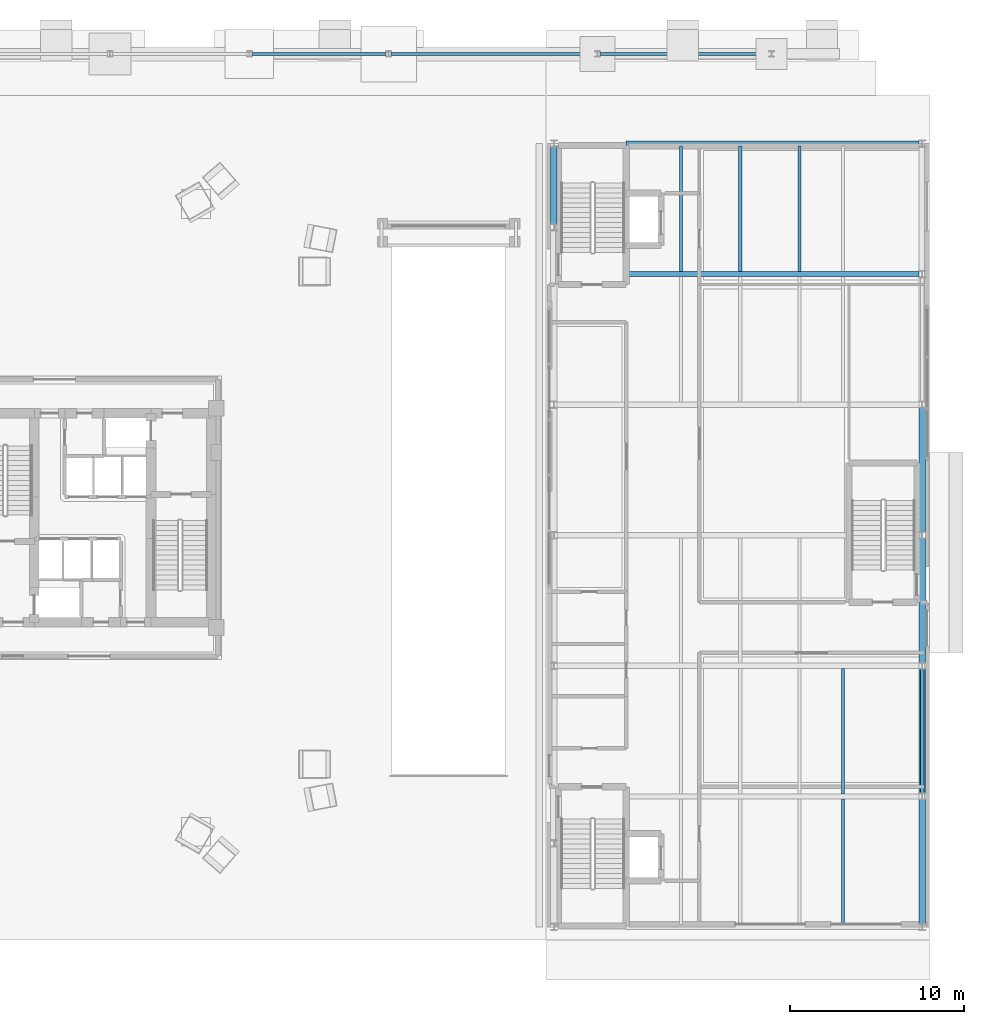
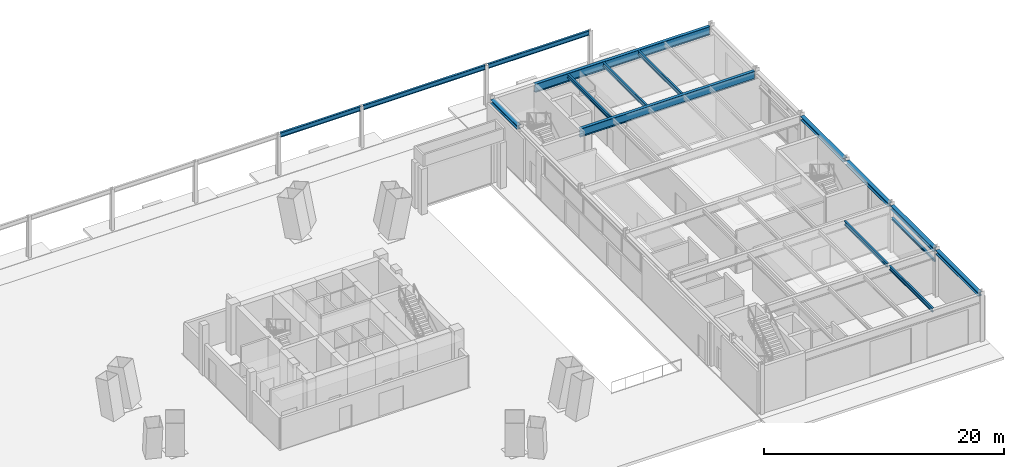
# One storey, part 10 of 21: 16 beams.
"""IFC4 building model written with IfcOpenShell, lengths in metres."""

import ifcopenshell
import ifcopenshell.guid

model = None  # the IFC model being written
_history = None  # IfcOwnerHistory: only IFC2X3 demands one
_inside = {}  # id of a spatial element -> (the spatial element, [elements in it])
_under = {}  # id of a project, library or spatial element -> (it, [spatial elements below it])
_declared = {}  # id of a project -> (the project, [libraries it declares])
_typed = {}  # id of a type object -> (the type object, [elements of that type])
_made_of = {}  # id of a material, layer set ... -> (it, [elements and type objects made of it])


def new_model(schema):
    """Start an empty IFC model of exactly this schema.

    Asked for "IFC4X3", IfcOpenShell would pick the latest addendum, in which some entities
    have other attributes; the version numbers below select the first issue.
    IFC2X3 requires an IfcOwnerHistory on every rooted entity: one is made here for all.
    """
    global model, _history
    if schema == "IFC4X3":
        model = ifcopenshell.file(schema_version=(4, 3, 0, 0))
    else:
        model = ifcopenshell.file(schema=schema)
    _inside.clear()
    _under.clear()
    _declared.clear()
    _typed.clear()
    _made_of.clear()
    _history = None
    if model.schema == "IFC2X3":
        org = make("IfcOrganization", Name="unknown")
        user = make(
            "IfcPersonAndOrganization",
            ThePerson=make("IfcPerson", FamilyName="unknown"),
            TheOrganization=org,
        )
        app = make(
            "IfcApplication",
            ApplicationDeveloper=org,
            Version="unknown",
            ApplicationFullName="unknown",
            ApplicationIdentifier="unknown",
        )
        _history = make(
            "IfcOwnerHistory",
            OwningUser=user,
            OwningApplication=app,
            ChangeAction="ADDED",
            CreationDate=0,
        )
    return model


def make(cls, **values):
    """One entity of the class cls with the attributes given. An attribute that is None is left unset."""
    return model.create_entity(
        cls, **{name: value for name, value in values.items() if value is not None}
    )


def rooted(cls, **values):
    """An entity with a GlobalId (a new one), such as an element, a storey or a relation."""
    return make(cls, GlobalId=ifcopenshell.guid.new(), OwnerHistory=_history, **values)


def si_unit(unit_type, name, prefix=None):
    """IfcSIUnit, for example si_unit("LENGTHUNIT", "METRE", prefix="MILLI")."""
    return make("IfcSIUnit", UnitType=unit_type, Prefix=prefix, Name=name)


def assignment(units):
    """IfcUnitAssignment: the units of a project."""
    return None if units is None else make("IfcUnitAssignment", Units=units)


def point(xyz):
    """IfcCartesianPoint."""
    return None if xyz is None else make("IfcCartesianPoint", Coordinates=xyz)


def direction(xyz):
    """IfcDirection."""
    return None if xyz is None else make("IfcDirection", DirectionRatios=xyz)


def frame(location, z_axis=None, x_axis=None):
    """IfcAxis2Placement3D, a coordinate frame: its origin and axes. An axis left out is left unset."""
    return make(
        "IfcAxis2Placement3D",
        Location=point(location),
        Axis=direction(z_axis),
        RefDirection=direction(x_axis),
    )


def frame_2d(location, x_axis=None):
    """IfcAxis2Placement2D, a coordinate frame in the plane: its origin and x axis."""
    return make(
        "IfcAxis2Placement2D", Location=point(location), RefDirection=direction(x_axis)
    )


def origin():
    """The frame at (0, 0, 0) with its axes left unset."""
    return frame((0.0, 0.0, 0.0))


def origin_2d():
    """The frame at (0, 0) in the plane with its x axis left unset."""
    return frame_2d((0.0, 0.0))


def place(relative_to, where):
    """IfcLocalPlacement: puts the frame where relative to a parent placement (None: the world)."""
    return make(
        "IfcLocalPlacement", PlacementRelTo=relative_to, RelativePlacement=where
    )


def context(
    kind, dimensions, precision=None, world=None, true_north=None, identifier=None
):
    """IfcGeometricRepresentationContext, for example the 3D "Model" context."""
    return make(
        "IfcGeometricRepresentationContext",
        ContextIdentifier=identifier,
        ContextType=kind,
        CoordinateSpaceDimension=dimensions,
        Precision=precision,
        WorldCoordinateSystem=world,
        TrueNorth=true_north,
    )


def subcontext(parent, identifier, kind, view, scale=None):
    """IfcGeometricRepresentationSubContext, for example "Body" below "Model"."""
    return make(
        "IfcGeometricRepresentationSubContext",
        ContextIdentifier=identifier,
        ContextType=kind,
        ParentContext=parent,
        TargetScale=scale,
        TargetView=view,
    )


def project(units=None, contexts=None):
    """IfcProject with its units and contexts."""
    return rooted(
        "IfcProject",
        Name="project",
        RepresentationContexts=contexts,
        UnitsInContext=assignment(units),
    )


def spatial(cls, under=None, at=None, **own):
    """A site, building, storey or space (cls), placed at a placement, below another one or the project."""
    s = rooted(cls, ObjectPlacement=at, **own)
    if under is not None:
        _under.setdefault(under.id(), (under, []))[1].append(s)
    return s


def profile(cls, at=None, kind="AREA", **sizes):
    """A parametric profile (cls). Its sizes go by their IFC names, for example OverallWidth=200.0."""
    return make(cls, ProfileType=kind, Position=at, **sizes)


def i_section(**sizes):
    """IfcIShapeProfileDef."""
    return profile("IfcIShapeProfileDef", **sizes)


def extrude(swept, where, along, depth):
    """IfcExtrudedAreaSolid: the profile swept, set in the frame where, extruded along a direction by depth."""
    return make(
        "IfcExtrudedAreaSolid",
        SweptArea=swept,
        Position=where,
        ExtrudedDirection=direction(along),
        Depth=depth,
    )


def shape(context_of_items, identifier, shape_type, items):
    """IfcShapeRepresentation: the items that make up one representation, for example the "Body"."""
    return make(
        "IfcShapeRepresentation",
        ContextOfItems=context_of_items,
        RepresentationIdentifier=identifier,
        RepresentationType=shape_type,
        Items=items,
    )


def material(Name=None, Category=None):
    """IfcMaterial."""
    return make("IfcMaterial", Name=Name, Category=Category)


def material_profile(
    of_material, cross_section, Name=None, Category=None, Priority=None
):
    """IfcMaterialProfile: a cross section and its material."""
    return make(
        "IfcMaterialProfile",
        Name=Name,
        Material=of_material,
        Profile=cross_section,
        Priority=Priority,
        Category=Category,
    )


def profile_set(profiles, Name=None, composite=None):
    """IfcMaterialProfileSet."""
    return make(
        "IfcMaterialProfileSet",
        Name=Name,
        MaterialProfiles=profiles,
        CompositeProfile=composite,
    )


def made_of(thing, what):
    """Note that an element or type object is made of a material, layer set ...; save() writes the relation."""
    if what is not None:
        _made_of.setdefault(what.id(), (what, []))[1].append(thing)
    return thing


def type_object(cls, material=None, **own):
    """A type object (cls), such as IfcWallType, which elements share."""
    return made_of(rooted(cls, **own), material)


def element(
    cls,
    number,
    at=None,
    inside=None,
    cuts=None,
    type_object=None,
    material=None,
    context=None,
    identifier="Body",
    shape_type=None,
    held_by="IfcProductDefinitionShape",
    body=None,
    shapes=None,
    **own,
):
    """One element of the class cls, such as IfcWall. Its Tag is "e" and its number.

    at: its placement. inside: the storey or other place that contains it. cuts: it is an
    opening in that element (IfcRelVoidsElement). A single representation is given by context,
    identifier, shape_type and body (its items); several are given by shapes. held_by: the class
    of the entity that holds the representations. save() writes the other relations.
    """
    e = rooted(cls, Tag="e%d" % number, ObjectPlacement=at, **own)
    if body is not None:
        shapes = [shape(context, identifier, shape_type, body)]
    if shapes is not None:
        e.Representation = make(held_by, Representations=shapes)
    if inside is not None:
        _inside.setdefault(inside.id(), (inside, []))[1].append(e)
    if cuts is not None:
        rooted(
            "IfcRelVoidsElement", RelatingBuildingElement=cuts, RelatedOpeningElement=e
        )
    if type_object is not None:
        _typed.setdefault(type_object.id(), (type_object, []))[1].append(e)
    return made_of(e, material)


def aggregate(whole, parts):
    """IfcRelAggregates: a whole, such as a stair, and the parts it consists of."""
    return rooted("IfcRelAggregates", RelatingObject=whole, RelatedObjects=parts)


def save(model, path):
    """Write the relations noted so far, then the file.

    IfcRelAggregates (storeys below a building ...), IfcRelContainedInSpatialStructure (elements
    in a storey), IfcRelDefinesByType, IfcRelAssociatesMaterial and IfcRelDeclares: one each for
    every whole, place, type object, material and project.
    """
    for whole, parts in _under.values():
        aggregate(whole, parts)
    for where, things in _inside.values():
        rooted(
            "IfcRelContainedInSpatialStructure",
            RelatedElements=things,
            RelatingStructure=where,
        )
    for kind, things in _typed.values():
        rooted("IfcRelDefinesByType", RelatedObjects=things, RelatingType=kind)
    for what, things in _made_of.values():
        rooted("IfcRelAssociatesMaterial", RelatedObjects=things, RelatingMaterial=what)
    for by, libraries in _declared.values():
        rooted("IfcRelDeclares", RelatingContext=by, RelatedDefinitions=libraries)
    model.write(path)


model = new_model("IFC4")

# Units and contexts
model_context = context("Model", 3, precision=1e-05, world=origin(), true_north=direction((0.0, 1.0)))
body_context = subcontext(model_context, "Body", "Model", "MODEL_VIEW")
ifc_project = project(units=[si_unit("LENGTHUNIT", "METRE"), si_unit("AREAUNIT", "SQUARE_METRE"), si_unit("VOLUMEUNIT", "CUBIC_METRE"), si_unit("PLANEANGLEUNIT", "RADIAN"), si_unit("MASSUNIT", "GRAM", prefix="KILO")], contexts=[model_context])

# Site, building, storey
site_placement = place(None, origin())
site = spatial("IfcSite", under=ifc_project, at=site_placement, CompositionType="ELEMENT")
building_placement = place(site_placement, origin())
building = spatial("IfcBuilding", under=site, at=building_placement, Name="Mersakhor Tower and Convention Hall", CompositionType="ELEMENT")
storey_placement = place(building_placement, origin())
storey = spatial("IfcBuildingStorey", under=building, at=storey_placement, Name="L00", CompositionType="ELEMENT", Elevation=0.0)

# Beams
ifc_material_1 = material(Name="Steel S355", Category="steel")
ifc_material_profile_1 = material_profile(ifc_material_1, i_section(OverallWidth=0.19140625, OverallDepth=0.4599609375, WebThickness=0.010009765625, FlangeThickness=0.01611328125, at=origin_2d()), Name="UB 457x191x82")
ifc_profile_set_1 = profile_set([ifc_material_profile_1], Name="Steel S355")
beam_type_1 = type_object("IfcBeamType", Name="BM-FB-457", PredefinedType="BEAM", material=ifc_profile_set_1)
beam_1_placement = place(storey_placement, frame((38.139892578125, 53.39990234375, 3.969970703125), z_axis=(1.0, 0.0, 0.0), x_axis=(0.0, 1.0, 0.0)))
element("IfcBeam", 1, at=beam_1_placement, inside=storey, type_object=beam_type_1, Name="Forecourt Canopy Girder CB-5", PredefinedType="BEAM", context=body_context, shape_type="SweptSolid", body=[
    extrude(i_section(OverallWidth=0.19140625, OverallDepth=0.4599609375, WebThickness=0.010009765625, FlangeThickness=0.01611328125, at=origin_2d()), origin(), (0.0, 0.0, 1.0), 7.72021484375),
])
beam_2_placement = place(storey_placement, frame((46.139892578125, 53.39990234375, 3.969970703125), z_axis=(1.0, 0.0, 0.0), x_axis=(0.0, 1.0, 0.0)))
element("IfcBeam", 2, at=beam_2_placement, inside=storey, type_object=beam_type_1, Name="Forecourt Canopy Girder CB-6", PredefinedType="BEAM", context=body_context, shape_type="SweptSolid", body=[
    extrude(i_section(OverallWidth=0.19140625, OverallDepth=0.4599609375, WebThickness=0.010009765625, FlangeThickness=0.01611328125, at=origin_2d()), origin(), (0.0, 0.0, 1.0), 11.72021484375),
])
beam_3_placement = place(storey_placement, frame((58.139892578125, 53.39990234375, 3.969970703125), z_axis=(1.0, 0.0, 0.0), x_axis=(0.0, 1.0, 0.0)))
element("IfcBeam", 3, at=beam_3_placement, inside=storey, type_object=beam_type_1, Name="Forecourt Canopy Girder CB-7", PredefinedType="BEAM", context=body_context, shape_type="SweptSolid", body=[
    extrude(i_section(OverallWidth=0.19140625, OverallDepth=0.4599609375, WebThickness=0.010009765625, FlangeThickness=0.01611328125, at=origin_2d()), origin(), (0.0, 0.0, 1.0), 9.72021484375),
])
ifc_material_2 = material(Name="Steel S355", Category="steel")
ifc_material_profile_2 = material_profile(ifc_material_2, i_section(OverallWidth=0.1787109375, OverallDepth=0.409423828125, WebThickness=0.0087890625, FlangeThickness=0.014404296875, at=origin_2d()), Name="UB 406x178x67")
ifc_profile_set_2 = profile_set([ifc_material_profile_2], Name="Steel S355")
beam_type_2 = type_object("IfcBeamType", Name="BM-JST-406", PredefinedType="JOIST", material=ifc_profile_set_2)
for number, where, z_axis, x_axis, name in (
    (4, (72.10009765625, 3.39697265625, 4.5751953125), (0.0, 1.0, 0.0), (-1.0, 0.0, 0.0), "Convention L00 Composite Floor Joist CJ-1-72"),
    (5, (72.10009765625, 10.89697265625, 4.5751953125), (0.0, 1.0, 0.0), (-1.0, 0.0, 0.0), "Convention L00 Composite Floor Joist CJ-2-72"),
    (6, (62.800048828125, 40.89697265625, 4.5751953125), (0.0, 1.0, 0.0), (-1.0, 0.0, 0.0), "Convention L00 Composite Floor Joist CJ-6-62"),
    (7, (66.199951171875, 40.89697265625, 4.5751953125), (0.0, 1.0, 0.0), (-1.0, 0.0, 0.0), "Convention L00 Composite Floor Joist CJ-6-66"),
    (8, (69.60009765625, 40.89697265625, 4.5751953125), (0.0, 1.0, 0.0), (-1.0, 0.0, 0.0), "Convention L00 Composite Floor Joist CJ-6-69"),
):
    element("IfcBeam", number, at=place(storey_placement, frame(where, z_axis=z_axis, x_axis=x_axis)), inside=storey, type_object=beam_type_2, Name=name, PredefinedType="JOIST", context=body_context, shape_type="SweptSolid", body=[
        extrude(i_section(OverallWidth=0.1787109375, OverallDepth=0.409423828125, WebThickness=0.0087890625, FlangeThickness=0.014404296875, at=origin_2d()), origin(), (0.0, 0.0, 1.0), 7.2060546875),
    ])
ifc_material_3 = material(Name="Steel S355", Category="steel")
ifc_material_profile_3 = material_profile(ifc_material_3, i_section(OverallWidth=0.205810546875, OverallDepth=0.209716796875, WebThickness=0.009521484375, FlangeThickness=0.01416015625, at=origin_2d()), Name="UC 203x203x60")
ifc_profile_set_3 = profile_set([ifc_material_profile_3], Name="Steel S355")
beam_type_3 = type_object("IfcBeamType", Name="BM-LNT-UC203", PredefinedType="LINTEL", material=ifc_profile_set_3)
beam_4_placement = place(storey_placement, frame((76.64990234375, 10.929931640625, 3.449951171875), z_axis=(0.0, 1.0, 0.0), x_axis=(-1.0, 0.0, 0.0)))
element("IfcBeam", 9, at=beam_4_placement, inside=storey, type_object=beam_type_3, Name="Convention L00 Opening Lintel Beam LNT-2", PredefinedType="LINTEL", context=body_context, shape_type="SweptSolid", body=[
    extrude(i_section(OverallWidth=0.205810546875, OverallDepth=0.209716796875, WebThickness=0.009521484375, FlangeThickness=0.01416015625, at=origin_2d()), origin(), (0.0, 0.0, 1.0), 7.14013671875),
])
ifc_material_4 = material(Name="Steel S355", Category="steel")
ifc_material_profile_4 = material_profile(ifc_material_4, i_section(OverallWidth=0.293701171875, OverallDepth=0.850830078125, WebThickness=0.01611328125, FlangeThickness=0.02685546875, at=origin_2d()), Name="UB 838x292x226")
ifc_profile_set_4 = profile_set([ifc_material_profile_4], Name="Steel S355")
beam_type_4 = type_object("IfcBeamType", Name="BM-PR-838", PredefinedType="BEAM", material=ifc_profile_set_4)
for number, where, z_axis, x_axis, name in (
    (10, (59.64990234375, 40.75, 4.3544921875), (1.0, 0.0, 0.0), (0.0, 1.0, 0.0), "Convention L00 Clear-Span Girder CG-6"),
    (11, (59.64990234375, 48.25, 4.3544921875), (1.0, 0.0, 0.0), (0.0, 1.0, 0.0), "Convention L00 Clear-Span Girder CG-7"),
):
    element("IfcBeam", number, at=place(storey_placement, frame(where, z_axis=z_axis, x_axis=x_axis)), inside=storey, type_object=beam_type_4, Name=name, PredefinedType="BEAM", context=body_context, shape_type="SweptSolid", body=[
        extrude(i_section(OverallWidth=0.293701171875, OverallDepth=0.850830078125, WebThickness=0.01611328125, FlangeThickness=0.02685546875, at=origin_2d()), origin(), (0.0, 0.0, 1.0), 16.820068359375),
    ])
ifc_material_5 = material(Name="Steel S355", Category="steel")
ifc_material_profile_5 = material_profile(ifc_material_5, i_section(OverallWidth=0.374755859375, OverallDepth=0.37451171875, WebThickness=0.0166015625, FlangeThickness=0.027099609375, at=origin_2d()), Name="UC 356x368x202")
ifc_profile_set_5 = profile_set([ifc_material_profile_5], Name="Steel S355")
beam_type_5 = type_object("IfcBeamType", Name="BM-SPD-UC356", PredefinedType="SPANDREL", material=ifc_profile_set_5)
beam_5_placement = place(storey_placement, frame((55.5, 43.6298828125, 4.593017578125), z_axis=(0.0, 1.0, 0.0), x_axis=(-1.0, 0.0, 0.0)))
element("IfcBeam", 12, at=beam_5_placement, inside=storey, type_object=beam_type_5, Name="Convention L00 Edge Spandrel W6", PredefinedType="SPANDREL", context=body_context, shape_type="SweptSolid", body=[
    extrude(i_section(OverallWidth=0.374755859375, OverallDepth=0.37451171875, WebThickness=0.0166015625, FlangeThickness=0.027099609375, at=origin_2d()), origin(), (0.0, 0.0, 1.0), 4.440185546875),
])
for number, where, z_axis, x_axis, name in (
    (13, (76.64990234375, 3.429931640625, 4.593017578125), (0.0, 1.0, 0.0), (-1.0, 0.0, 0.0), "Convention L00 Edge Spandrel E1"),
    (14, (76.64990234375, 10.929931640625, 4.593017578125), (0.0, 1.0, 0.0), (-1.0, 0.0, 0.0), "Convention L00 Edge Spandrel E2"),
    (15, (76.64990234375, 18.429931640625, 4.593017578125), (0.0, 1.0, 0.0), (-1.0, 0.0, 0.0), "Convention L00 Edge Spandrel E3"),
    (16, (76.64990234375, 25.929931640625, 4.593017578125), (0.0, 1.0, 0.0), (-1.0, 0.0, 0.0), "Convention L00 Edge Spandrel E4"),
):
    element("IfcBeam", number, at=place(storey_placement, frame(where, z_axis=z_axis, x_axis=x_axis)), inside=storey, type_object=beam_type_5, Name=name, PredefinedType="SPANDREL", context=body_context, shape_type="SweptSolid", body=[
        extrude(i_section(OverallWidth=0.374755859375, OverallDepth=0.37451171875, WebThickness=0.0166015625, FlangeThickness=0.027099609375, at=origin_2d()), origin(), (0.0, 0.0, 1.0), 7.14013671875),
    ])

save(model, "model.ifc")
